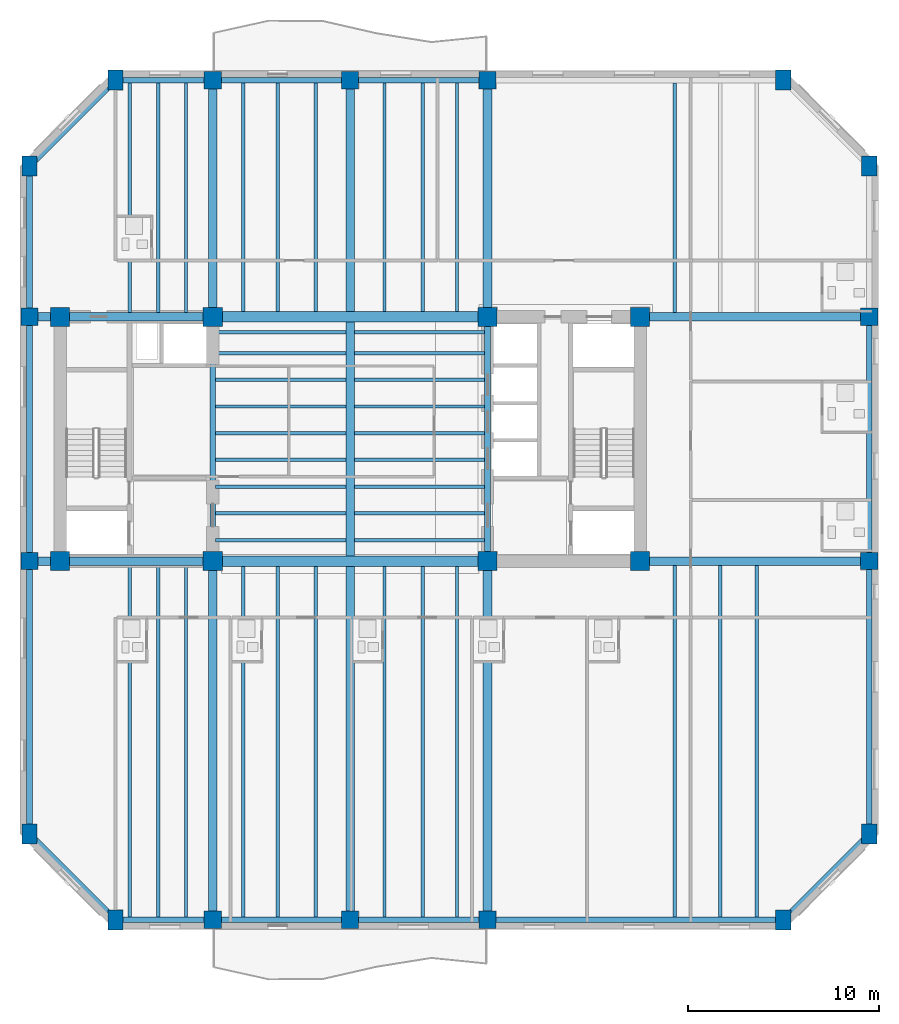
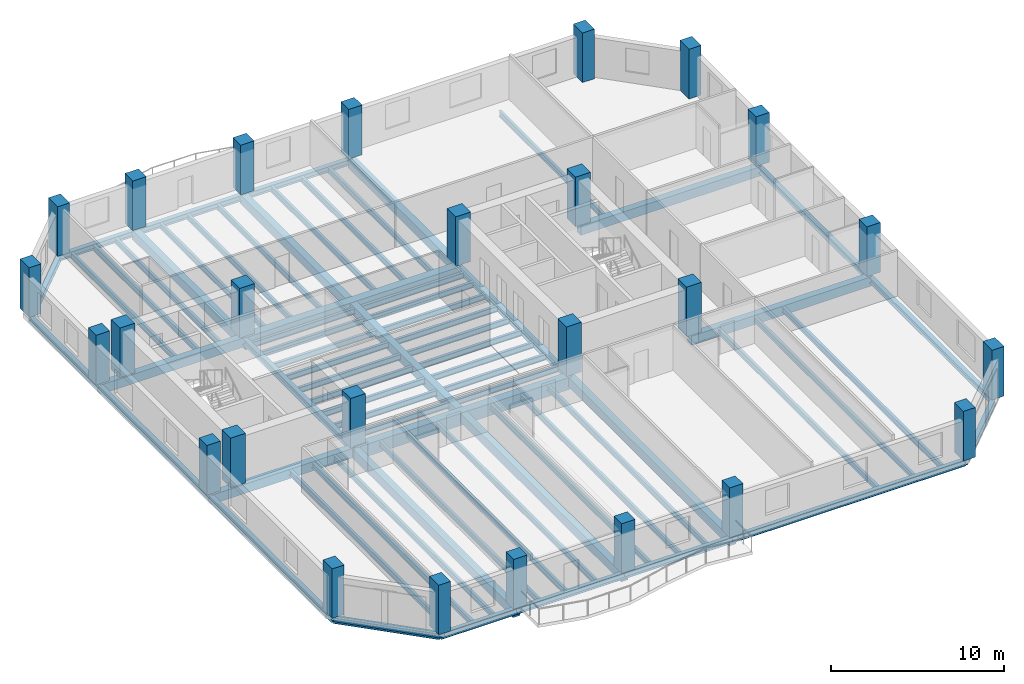
# One storey, part 1 of 10: 70 beams, 26 columns.
"""IFC4 building model written with IfcOpenShell, lengths in metres."""

import ifcopenshell
import ifcopenshell.guid

model = None  # the IFC model being written
_history = None  # IfcOwnerHistory: only IFC2X3 demands one
_inside = {}  # id of a spatial element -> (the spatial element, [elements in it])
_under = {}  # id of a project, library or spatial element -> (it, [spatial elements below it])
_declared = {}  # id of a project -> (the project, [libraries it declares])
_typed = {}  # id of a type object -> (the type object, [elements of that type])
_made_of = {}  # id of a material, layer set ... -> (it, [elements and type objects made of it])


def new_model(schema):
    """Start an empty IFC model of exactly this schema.

    Asked for "IFC4X3", IfcOpenShell would pick the latest addendum, in which some entities
    have other attributes; the version numbers below select the first issue.
    IFC2X3 requires an IfcOwnerHistory on every rooted entity: one is made here for all.
    """
    global model, _history
    if schema == "IFC4X3":
        model = ifcopenshell.file(schema_version=(4, 3, 0, 0))
    else:
        model = ifcopenshell.file(schema=schema)
    _inside.clear()
    _under.clear()
    _declared.clear()
    _typed.clear()
    _made_of.clear()
    _history = None
    if model.schema == "IFC2X3":
        org = make("IfcOrganization", Name="unknown")
        user = make(
            "IfcPersonAndOrganization",
            ThePerson=make("IfcPerson", FamilyName="unknown"),
            TheOrganization=org,
        )
        app = make(
            "IfcApplication",
            ApplicationDeveloper=org,
            Version="unknown",
            ApplicationFullName="unknown",
            ApplicationIdentifier="unknown",
        )
        _history = make(
            "IfcOwnerHistory",
            OwningUser=user,
            OwningApplication=app,
            ChangeAction="ADDED",
            CreationDate=0,
        )
    return model


def make(cls, **values):
    """One entity of the class cls with the attributes given. An attribute that is None is left unset."""
    return model.create_entity(
        cls, **{name: value for name, value in values.items() if value is not None}
    )


def rooted(cls, **values):
    """An entity with a GlobalId (a new one), such as an element, a storey or a relation."""
    return make(cls, GlobalId=ifcopenshell.guid.new(), OwnerHistory=_history, **values)


def si_unit(unit_type, name, prefix=None):
    """IfcSIUnit, for example si_unit("LENGTHUNIT", "METRE", prefix="MILLI")."""
    return make("IfcSIUnit", UnitType=unit_type, Prefix=prefix, Name=name)


def assignment(units):
    """IfcUnitAssignment: the units of a project."""
    return None if units is None else make("IfcUnitAssignment", Units=units)


def point(xyz):
    """IfcCartesianPoint."""
    return None if xyz is None else make("IfcCartesianPoint", Coordinates=xyz)


def direction(xyz):
    """IfcDirection."""
    return None if xyz is None else make("IfcDirection", DirectionRatios=xyz)


def frame(location, z_axis=None, x_axis=None):
    """IfcAxis2Placement3D, a coordinate frame: its origin and axes. An axis left out is left unset."""
    return make(
        "IfcAxis2Placement3D",
        Location=point(location),
        Axis=direction(z_axis),
        RefDirection=direction(x_axis),
    )


def frame_2d(location, x_axis=None):
    """IfcAxis2Placement2D, a coordinate frame in the plane: its origin and x axis."""
    return make(
        "IfcAxis2Placement2D", Location=point(location), RefDirection=direction(x_axis)
    )


def origin():
    """The frame at (0, 0, 0) with its axes left unset."""
    return frame((0.0, 0.0, 0.0))


def origin_2d():
    """The frame at (0, 0) in the plane with its x axis left unset."""
    return frame_2d((0.0, 0.0))


def place(relative_to, where):
    """IfcLocalPlacement: puts the frame where relative to a parent placement (None: the world)."""
    return make(
        "IfcLocalPlacement", PlacementRelTo=relative_to, RelativePlacement=where
    )


def context(
    kind, dimensions, precision=None, world=None, true_north=None, identifier=None
):
    """IfcGeometricRepresentationContext, for example the 3D "Model" context."""
    return make(
        "IfcGeometricRepresentationContext",
        ContextIdentifier=identifier,
        ContextType=kind,
        CoordinateSpaceDimension=dimensions,
        Precision=precision,
        WorldCoordinateSystem=world,
        TrueNorth=true_north,
    )


def subcontext(parent, identifier, kind, view, scale=None):
    """IfcGeometricRepresentationSubContext, for example "Body" below "Model"."""
    return make(
        "IfcGeometricRepresentationSubContext",
        ContextIdentifier=identifier,
        ContextType=kind,
        ParentContext=parent,
        TargetScale=scale,
        TargetView=view,
    )


def project(units=None, contexts=None):
    """IfcProject with its units and contexts."""
    return rooted(
        "IfcProject",
        Name="project",
        RepresentationContexts=contexts,
        UnitsInContext=assignment(units),
    )


def spatial(cls, under=None, at=None, **own):
    """A site, building, storey or space (cls), placed at a placement, below another one or the project."""
    s = rooted(cls, ObjectPlacement=at, **own)
    if under is not None:
        _under.setdefault(under.id(), (under, []))[1].append(s)
    return s


def profile(cls, at=None, kind="AREA", **sizes):
    """A parametric profile (cls). Its sizes go by their IFC names, for example OverallWidth=200.0."""
    return make(cls, ProfileType=kind, Position=at, **sizes)


def rectangle(**sizes):
    """IfcRectangleProfileDef."""
    return profile("IfcRectangleProfileDef", **sizes)


def i_section(**sizes):
    """IfcIShapeProfileDef."""
    return profile("IfcIShapeProfileDef", **sizes)


def extrude(swept, where, along, depth):
    """IfcExtrudedAreaSolid: the profile swept, set in the frame where, extruded along a direction by depth."""
    return make(
        "IfcExtrudedAreaSolid",
        SweptArea=swept,
        Position=where,
        ExtrudedDirection=direction(along),
        Depth=depth,
    )


def shape(context_of_items, identifier, shape_type, items):
    """IfcShapeRepresentation: the items that make up one representation, for example the "Body"."""
    return make(
        "IfcShapeRepresentation",
        ContextOfItems=context_of_items,
        RepresentationIdentifier=identifier,
        RepresentationType=shape_type,
        Items=items,
    )


def material(Name=None, Category=None):
    """IfcMaterial."""
    return make("IfcMaterial", Name=Name, Category=Category)


def material_profile(
    of_material, cross_section, Name=None, Category=None, Priority=None
):
    """IfcMaterialProfile: a cross section and its material."""
    return make(
        "IfcMaterialProfile",
        Name=Name,
        Material=of_material,
        Profile=cross_section,
        Priority=Priority,
        Category=Category,
    )


def profile_set(profiles, Name=None, composite=None):
    """IfcMaterialProfileSet."""
    return make(
        "IfcMaterialProfileSet",
        Name=Name,
        MaterialProfiles=profiles,
        CompositeProfile=composite,
    )


def made_of(thing, what):
    """Note that an element or type object is made of a material, layer set ...; save() writes the relation."""
    if what is not None:
        _made_of.setdefault(what.id(), (what, []))[1].append(thing)
    return thing


def type_object(cls, material=None, **own):
    """A type object (cls), such as IfcWallType, which elements share."""
    return made_of(rooted(cls, **own), material)


def element(
    cls,
    number,
    at=None,
    inside=None,
    cuts=None,
    type_object=None,
    material=None,
    context=None,
    identifier="Body",
    shape_type=None,
    held_by="IfcProductDefinitionShape",
    body=None,
    shapes=None,
    **own,
):
    """One element of the class cls, such as IfcWall. Its Tag is "e" and its number.

    at: its placement. inside: the storey or other place that contains it. cuts: it is an
    opening in that element (IfcRelVoidsElement). A single representation is given by context,
    identifier, shape_type and body (its items); several are given by shapes. held_by: the class
    of the entity that holds the representations. save() writes the other relations.
    """
    e = rooted(cls, Tag="e%d" % number, ObjectPlacement=at, **own)
    if body is not None:
        shapes = [shape(context, identifier, shape_type, body)]
    if shapes is not None:
        e.Representation = make(held_by, Representations=shapes)
    if inside is not None:
        _inside.setdefault(inside.id(), (inside, []))[1].append(e)
    if cuts is not None:
        rooted(
            "IfcRelVoidsElement", RelatingBuildingElement=cuts, RelatedOpeningElement=e
        )
    if type_object is not None:
        _typed.setdefault(type_object.id(), (type_object, []))[1].append(e)
    return made_of(e, material)


def aggregate(whole, parts):
    """IfcRelAggregates: a whole, such as a stair, and the parts it consists of."""
    return rooted("IfcRelAggregates", RelatingObject=whole, RelatedObjects=parts)


def save(model, path):
    """Write the relations noted so far, then the file.

    IfcRelAggregates (storeys below a building ...), IfcRelContainedInSpatialStructure (elements
    in a storey), IfcRelDefinesByType, IfcRelAssociatesMaterial and IfcRelDeclares: one each for
    every whole, place, type object, material and project.
    """
    for whole, parts in _under.values():
        aggregate(whole, parts)
    for where, things in _inside.values():
        rooted(
            "IfcRelContainedInSpatialStructure",
            RelatedElements=things,
            RelatingStructure=where,
        )
    for kind, things in _typed.values():
        rooted("IfcRelDefinesByType", RelatedObjects=things, RelatingType=kind)
    for what, things in _made_of.values():
        rooted("IfcRelAssociatesMaterial", RelatedObjects=things, RelatingMaterial=what)
    for by, libraries in _declared.values():
        rooted("IfcRelDeclares", RelatingContext=by, RelatedDefinitions=libraries)
    model.write(path)


model = new_model("IFC4")

# Units and contexts
model_context = context("Model", 3, precision=1e-05, world=origin(), true_north=direction((0.0, 1.0)))
body_context = subcontext(model_context, "Body", "Model", "MODEL_VIEW")
ifc_project = project(units=[si_unit("LENGTHUNIT", "METRE"), si_unit("AREAUNIT", "SQUARE_METRE"), si_unit("VOLUMEUNIT", "CUBIC_METRE"), si_unit("PLANEANGLEUNIT", "RADIAN"), si_unit("MASSUNIT", "GRAM", prefix="KILO")], contexts=[model_context])

# Site, building, storey
site_placement = place(None, origin())
site = spatial("IfcSite", under=ifc_project, at=site_placement, CompositionType="ELEMENT")
building_placement = place(site_placement, origin())
building = spatial("IfcBuilding", under=site, at=building_placement, Name="Kranthara Brick Stack", CompositionType="ELEMENT")
storey_placement = place(building_placement, frame((0.0, 0.0, 155.300048828125)))
storey = spatial("IfcBuildingStorey", under=building, at=storey_placement, Name="L39", CompositionType="ELEMENT", Elevation=155.300048828125)

# Columns
ifc_material_1 = material(Name="Concrete C60/75", Category="concrete")
ifc_material_profile_1 = material_profile(ifc_material_1, rectangle(XDim=0.800048828125, YDim=1.050048828125, at=origin_2d()), Name="RC 800x1050")
ifc_profile_set_1 = profile_set([ifc_material_profile_1], Name="Concrete C60/75")
column_type_1 = type_object("IfcColumnType", Name="COL-CHAM-800x1050", PredefinedType="COLUMN", material=ifc_profile_set_1)
for number, where, z_axis, x_axis, name in (
    (1, (15.699951171875, 2.0, 0.0), (0.0, 0.0, 1.0), (1.0, 0.0, 0.0), "L39 Column 09"),
    (2, (15.699951171875, 46.0, 0.0), (0.0, 0.0, 1.0), (1.0, 0.0, 0.0), "L39 Column 10"),
    (3, (50.699951171875, 2.0, 0.0), (0.0, 0.0, 1.0), (1.0, 0.0, 0.0), "L39 Column 17"),
    (4, (50.699951171875, 46.0, 0.0), (0.0, 0.0, 1.0), (1.0, 0.0, 0.0), "L39 Column 18"),
    (5, (11.199951171875, 6.5, 0.0), (0.0, 0.0, 1.0), (1.0, 0.0, 0.0), "L39 Column 19"),
    (6, (55.199951171875, 6.5, 0.0), (0.0, 0.0, 1.0), (1.0, 0.0, 0.0), "L39 Column 20"),
    (7, (11.199951171875, 41.5, 0.0), (0.0, 0.0, 1.0), (1.0, 0.0, 0.0), "L39 Column 25"),
    (8, (55.199951171875, 41.5, 0.0), (0.0, 0.0, 1.0), (1.0, 0.0, 0.0), "L39 Column 26"),
):
    element("IfcColumn", number, at=place(storey_placement, frame(where, z_axis=z_axis, x_axis=x_axis)), inside=storey, type_object=column_type_1, Name=name, PredefinedType="COLUMN", context=body_context, shape_type="SweptSolid", body=[
        extrude(rectangle(XDim=0.800048828125, YDim=1.050048828125, at=origin_2d()), origin(), (0.0, 0.0, 1.0), 3.5),
    ])
ifc_material_2 = material(Name="Concrete C60/75", Category="concrete")
ifc_material_profile_2 = material_profile(ifc_material_2, rectangle(XDim=1.0, YDim=1.0, at=origin_2d()), Name="RC 1000x1000")
ifc_profile_set_2 = profile_set([ifc_material_profile_2], Name="Concrete C60/75")
column_type_2 = type_object("IfcColumnType", Name="COL-CORE-1000", PredefinedType="COLUMN", material=ifc_profile_set_2)
for number, where, z_axis, x_axis, name in (
    (9, (12.800048828125, 20.800048828125, 0.0), (0.0, 0.0, 1.0), (1.0, 0.0, 0.0), "L39 Column 01"),
    (10, (20.800048828125, 20.800048828125, 0.0), (0.0, 0.0, 1.0), (1.0, 0.0, 0.0), "L39 Column 02"),
    (11, (12.800048828125, 33.60009765625, 0.0), (0.0, 0.0, 1.0), (1.0, 0.0, 0.0), "L39 Column 03"),
    (12, (20.800048828125, 33.60009765625, 0.0), (0.0, 0.0, 1.0), (1.0, 0.0, 0.0), "L39 Column 04"),
    (13, (35.199951171875, 20.800048828125, 0.0), (0.0, 0.0, 1.0), (1.0, 0.0, 0.0), "L39 Column 05"),
    (14, (43.199951171875, 20.800048828125, 0.0), (0.0, 0.0, 1.0), (1.0, 0.0, 0.0), "L39 Column 06"),
    (15, (35.199951171875, 33.60009765625, 0.0), (0.0, 0.0, 1.0), (1.0, 0.0, 0.0), "L39 Column 07"),
    (16, (43.199951171875, 33.60009765625, 0.0), (0.0, 0.0, 1.0), (1.0, 0.0, 0.0), "L39 Column 08"),
):
    element("IfcColumn", number, at=place(storey_placement, frame(where, z_axis=z_axis, x_axis=x_axis)), inside=storey, type_object=column_type_2, Name=name, PredefinedType="COLUMN", context=body_context, shape_type="SweptSolid", body=[
        extrude(rectangle(XDim=1.0, YDim=1.0, at=origin_2d()), origin(), (0.0, 0.0, 1.0), 3.5),
    ])
ifc_material_3 = material(Name="Concrete C60/75", Category="concrete")
ifc_material_profile_3 = material_profile(ifc_material_3, rectangle(XDim=0.89990234375, YDim=0.89990234375, at=origin_2d()), Name="RC 900x900")
ifc_profile_set_3 = profile_set([ifc_material_profile_3], Name="Concrete C60/75")
column_type_3 = type_object("IfcColumnType", Name="COL-PER-900", PredefinedType="COLUMN", material=ifc_profile_set_3)
for number, where, z_axis, x_axis, name in (
    (17, (20.800048828125, 2.0, 0.0), (0.0, 0.0, 1.0), (1.0, 0.0, 0.0), "L39 Column 11"),
    (18, (20.800048828125, 46.0, 0.0), (0.0, 0.0, 1.0), (1.0, 0.0, 0.0), "L39 Column 12"),
    (19, (28.0, 2.0, 0.0), (0.0, 0.0, 1.0), (1.0, 0.0, 0.0), "L39 Column 13"),
    (20, (28.0, 46.0, 0.0), (0.0, 0.0, 1.0), (1.0, 0.0, 0.0), "L39 Column 14"),
    (21, (35.199951171875, 2.0, 0.0), (0.0, 0.0, 1.0), (1.0, 0.0, 0.0), "L39 Column 15"),
    (22, (35.199951171875, 46.0, 0.0), (0.0, 0.0, 1.0), (1.0, 0.0, 0.0), "L39 Column 16"),
    (23, (11.199951171875, 20.800048828125, 0.0), (0.0, 0.0, 1.0), (1.0, 0.0, 0.0), "L39 Column 21"),
    (24, (55.199951171875, 20.800048828125, 0.0), (0.0, 0.0, 1.0), (1.0, 0.0, 0.0), "L39 Column 22"),
    (25, (11.199951171875, 33.60009765625, 0.0), (0.0, 0.0, 1.0), (1.0, 0.0, 0.0), "L39 Column 23"),
    (26, (55.199951171875, 33.60009765625, 0.0), (0.0, 0.0, 1.0), (1.0, 0.0, 0.0), "L39 Column 24"),
):
    element("IfcColumn", number, at=place(storey_placement, frame(where, z_axis=z_axis, x_axis=x_axis)), inside=storey, type_object=column_type_3, Name=name, PredefinedType="COLUMN", context=body_context, shape_type="SweptSolid", body=[
        extrude(rectangle(XDim=0.89990234375, YDim=0.89990234375, at=origin_2d()), origin(), (0.0, 0.0, 1.0), 3.5),
    ])

# Beams
ifc_material_4 = material(Name="Concrete C50/60", Category="concrete")
ifc_material_profile_4 = material_profile(ifc_material_4, rectangle(XDim=0.550048828125, YDim=0.85009765625, at=origin_2d()), Name="RC 550x850")
ifc_profile_set_4 = profile_set([ifc_material_profile_4], Name="Concrete C50/60")
beam_type_1 = type_object("IfcBeamType", Name="BM-CPL-RC850", PredefinedType="LINTEL", material=ifc_profile_set_4)
for number, where, z_axis, x_axis, name in (
    (27, (20.800048828125, 20.800048828125, -0.72509765625), (1.0, 0.0, 0.0), (0.0, 1.0, 0.0), "L39 Core Coupling Beam 001"),
    (28, (20.800048828125, 33.60009765625, -0.72509765625), (1.0, 0.0, 0.0), (0.0, 1.0, 0.0), "L39 Core Coupling Beam 002"),
):
    element("IfcBeam", number, at=place(storey_placement, frame(where, z_axis=z_axis, x_axis=x_axis)), inside=storey, type_object=beam_type_1, Name=name, PredefinedType="LINTEL", context=body_context, shape_type="SweptSolid", body=[
        extrude(rectangle(XDim=0.550048828125, YDim=0.85009765625, at=origin_2d()), origin(), (0.0, 0.0, 1.0), 14.39990234375),
    ])
ifc_material_5 = material(Name="Post-tensioned concrete C45/55", Category="concrete")
ifc_material_profile_5 = material_profile(ifc_material_5, rectangle(XDim=0.449951171875, YDim=0.64990234375, at=origin_2d()), Name="PT 450x650")
ifc_profile_set_5 = profile_set([ifc_material_profile_5], Name="Post-tensioned concrete C45/55")
beam_type_2 = type_object("IfcBeamType", Name="BM-FLR-PT650", PredefinedType="BEAM", material=ifc_profile_set_5)
beam_1_placement = place(storey_placement, frame((20.800048828125, 2.0, -0.625), z_axis=(0.0, 1.0, 0.0), x_axis=(-1.0, 0.0, 0.0)))
element("IfcBeam", 29, at=beam_1_placement, inside=storey, type_object=beam_type_2, Name="L39 Primary Grid Girder 023", PredefinedType="BEAM", context=body_context, shape_type="SweptSolid", body=[
    extrude(rectangle(XDim=0.449951171875, YDim=0.64990234375, at=origin_2d()), origin(), (0.0, 0.0, 1.0), 18.800048828125),
])
beam_2_placement = place(storey_placement, frame((20.800048828125, 33.60009765625, -0.625), z_axis=(0.0, 1.0, 0.0), x_axis=(-1.0, 0.0, 0.0)))
element("IfcBeam", 30, at=beam_2_placement, inside=storey, type_object=beam_type_2, Name="L39 Primary Grid Girder 024", PredefinedType="BEAM", context=body_context, shape_type="SweptSolid", body=[
    extrude(rectangle(XDim=0.449951171875, YDim=0.64990234375, at=origin_2d()), origin(), (0.0, 0.0, 1.0), 12.39990234375),
])
beam_3_placement = place(storey_placement, frame((28.0, 2.0, -0.625), z_axis=(0.0, 1.0, 0.0), x_axis=(-1.0, 0.0, 0.0)))
element("IfcBeam", 31, at=beam_3_placement, inside=storey, type_object=beam_type_2, Name="L39 Primary Grid Girder 025", PredefinedType="BEAM", context=body_context, shape_type="SweptSolid", body=[
    extrude(rectangle(XDim=0.449951171875, YDim=0.64990234375, at=origin_2d()), origin(), (0.0, 0.0, 1.0), 18.52490234375),
])
beam_4_placement = place(storey_placement, frame((28.0, 21.074951171875, -0.625), z_axis=(0.0, 1.0, 0.0), x_axis=(-1.0, 0.0, 0.0)))
element("IfcBeam", 32, at=beam_4_placement, inside=storey, type_object=beam_type_2, Name="L39 Central Spine Girder 026", PredefinedType="BEAM", context=body_context, shape_type="SweptSolid", body=[
    extrude(rectangle(XDim=0.449951171875, YDim=0.64990234375, at=origin_2d()), origin(), (0.0, 0.0, 1.0), 12.25),
])
beam_5_placement = place(storey_placement, frame((28.0, 33.875, -0.625), z_axis=(0.0, 1.0, 0.0), x_axis=(-1.0, 0.0, 0.0)))
element("IfcBeam", 33, at=beam_5_placement, inside=storey, type_object=beam_type_2, Name="L39 Primary Grid Girder 027", PredefinedType="BEAM", context=body_context, shape_type="SweptSolid", body=[
    extrude(rectangle(XDim=0.449951171875, YDim=0.64990234375, at=origin_2d()), origin(), (0.0, 0.0, 1.0), 12.125),
])
beam_6_placement = place(storey_placement, frame((35.199951171875, 2.0, -0.625), z_axis=(0.0, 1.0, 0.0), x_axis=(-1.0, 0.0, 0.0)))
element("IfcBeam", 34, at=beam_6_placement, inside=storey, type_object=beam_type_2, Name="L39 Primary Grid Girder 028", PredefinedType="BEAM", context=body_context, shape_type="SweptSolid", body=[
    extrude(rectangle(XDim=0.449951171875, YDim=0.64990234375, at=origin_2d()), origin(), (0.0, 0.0, 1.0), 18.800048828125),
])
beam_7_placement = place(storey_placement, frame((35.199951171875, 33.60009765625, -0.625), z_axis=(0.0, 1.0, 0.0), x_axis=(-1.0, 0.0, 0.0)))
element("IfcBeam", 35, at=beam_7_placement, inside=storey, type_object=beam_type_2, Name="L39 Primary Grid Girder 029", PredefinedType="BEAM", context=body_context, shape_type="SweptSolid", body=[
    extrude(rectangle(XDim=0.449951171875, YDim=0.64990234375, at=origin_2d()), origin(), (0.0, 0.0, 1.0), 12.39990234375),
])
beam_8_placement = place(storey_placement, frame((11.199951171875, 20.800048828125, -0.625), z_axis=(1.0, 0.0, 0.0), x_axis=(0.0, 1.0, 0.0)))
element("IfcBeam", 36, at=beam_8_placement, inside=storey, type_object=beam_type_2, Name="L39 Primary Grid Girder 030", PredefinedType="BEAM", context=body_context, shape_type="SweptSolid", body=[
    extrude(rectangle(XDim=0.449951171875, YDim=0.64990234375, at=origin_2d()), origin(), (0.0, 0.0, 1.0), 9.60009765625),
])
beam_9_placement = place(storey_placement, frame((43.199951171875, 20.800048828125, -0.625), z_axis=(1.0, 0.0, 0.0), x_axis=(0.0, 1.0, 0.0)))
element("IfcBeam", 37, at=beam_9_placement, inside=storey, type_object=beam_type_2, Name="L39 Primary Grid Girder 031", PredefinedType="BEAM", context=body_context, shape_type="SweptSolid", body=[
    extrude(rectangle(XDim=0.449951171875, YDim=0.64990234375, at=origin_2d()), origin(), (0.0, 0.0, 1.0), 12.0),
])
beam_10_placement = place(storey_placement, frame((11.199951171875, 33.60009765625, -0.625), z_axis=(1.0, 0.0, 0.0), x_axis=(0.0, 1.0, 0.0)))
element("IfcBeam", 38, at=beam_10_placement, inside=storey, type_object=beam_type_2, Name="L39 Primary Grid Girder 032", PredefinedType="BEAM", context=body_context, shape_type="SweptSolid", body=[
    extrude(rectangle(XDim=0.449951171875, YDim=0.64990234375, at=origin_2d()), origin(), (0.0, 0.0, 1.0), 9.60009765625),
])
beam_11_placement = place(storey_placement, frame((43.199951171875, 33.60009765625, -0.625), z_axis=(1.0, 0.0, 0.0), x_axis=(0.0, 1.0, 0.0)))
element("IfcBeam", 39, at=beam_11_placement, inside=storey, type_object=beam_type_2, Name="L39 Primary Grid Girder 033", PredefinedType="BEAM", context=body_context, shape_type="SweptSolid", body=[
    extrude(rectangle(XDim=0.449951171875, YDim=0.64990234375, at=origin_2d()), origin(), (0.0, 0.0, 1.0), 12.0),
])
ifc_material_6 = material(Name="Steel S355", Category="steel")
ifc_material_profile_6 = material_profile(ifc_material_6, i_section(OverallWidth=0.179931640625, OverallDepth=0.39990234375, WebThickness=0.008544921875, FlangeThickness=0.013427734375, at=origin_2d()), Name="IPE 400")
ifc_profile_set_6 = profile_set([ifc_material_profile_6], Name="Steel S355")
beam_type_3 = type_object("IfcBeamType", Name="BM-JST-IPE400", PredefinedType="JOIST", material=ifc_profile_set_6)
for number, where, z_axis, x_axis, name in (
    (40, (20.949951171875, 21.89990234375, -0.5), (1.0, 0.0, 0.0), (0.0, 1.0, 0.0), "L39 Central Floor Joist 034"),
    (41, (28.22509765625, 21.89990234375, -0.5), (1.0, 0.0, 0.0), (0.0, 1.0, 0.0), "L39 Central Floor Joist 035"),
    (42, (20.949951171875, 23.300048828125, -0.5), (1.0, 0.0, 0.0), (0.0, 1.0, 0.0), "L39 Central Floor Joist 036"),
    (43, (28.22509765625, 23.300048828125, -0.5), (1.0, 0.0, 0.0), (0.0, 1.0, 0.0), "L39 Central Floor Joist 037"),
    (44, (20.949951171875, 24.699951171875, -0.5), (1.0, 0.0, 0.0), (0.0, 1.0, 0.0), "L39 Central Floor Joist 038"),
    (45, (28.22509765625, 24.699951171875, -0.5), (1.0, 0.0, 0.0), (0.0, 1.0, 0.0), "L39 Central Floor Joist 039"),
    (46, (20.949951171875, 26.10009765625, -0.5), (1.0, 0.0, 0.0), (0.0, 1.0, 0.0), "L39 Central Floor Joist 040"),
    (47, (28.22509765625, 26.10009765625, -0.5), (1.0, 0.0, 0.0), (0.0, 1.0, 0.0), "L39 Central Floor Joist 041"),
    (48, (20.949951171875, 27.5, -0.5), (1.0, 0.0, 0.0), (0.0, 1.0, 0.0), "L39 Central Floor Joist 042"),
    (49, (28.22509765625, 27.5, -0.5), (1.0, 0.0, 0.0), (0.0, 1.0, 0.0), "L39 Central Floor Joist 043"),
    (50, (20.949951171875, 28.89990234375, -0.5), (1.0, 0.0, 0.0), (0.0, 1.0, 0.0), "L39 Central Floor Joist 044"),
    (51, (28.22509765625, 28.89990234375, -0.5), (1.0, 0.0, 0.0), (0.0, 1.0, 0.0), "L39 Central Floor Joist 045"),
    (52, (20.949951171875, 30.300048828125, -0.5), (1.0, 0.0, 0.0), (0.0, 1.0, 0.0), "L39 Central Floor Joist 046"),
    (53, (28.22509765625, 30.300048828125, -0.5), (1.0, 0.0, 0.0), (0.0, 1.0, 0.0), "L39 Central Floor Joist 047"),
    (54, (20.949951171875, 31.699951171875, -0.5), (1.0, 0.0, 0.0), (0.0, 1.0, 0.0), "L39 Central Floor Joist 048"),
    (55, (28.22509765625, 31.699951171875, -0.5), (1.0, 0.0, 0.0), (0.0, 1.0, 0.0), "L39 Central Floor Joist 049"),
    (56, (20.949951171875, 32.800048828125, -0.5), (1.0, 0.0, 0.0), (0.0, 1.0, 0.0), "L39 Central Floor Joist 050"),
    (57, (28.22509765625, 32.800048828125, -0.5), (1.0, 0.0, 0.0), (0.0, 1.0, 0.0), "L39 Central Floor Joist 051"),
):
    element("IfcBeam", number, at=place(storey_placement, frame(where, z_axis=z_axis, x_axis=x_axis)), inside=storey, type_object=beam_type_3, Name=name, PredefinedType="JOIST", context=body_context, shape_type="SweptSolid", body=[
        extrude(i_section(OverallWidth=0.179931640625, OverallDepth=0.39990234375, WebThickness=0.008544921875, FlangeThickness=0.013427734375, at=origin_2d()), origin(), (0.0, 0.0, 1.0), 6.824951171875),
    ])
beam_12_placement = place(storey_placement, frame((16.449951171875, 2.14990234375, -0.5), z_axis=(0.0, 1.0, 0.0), x_axis=(-1.0, 0.0, 0.0)))
element("IfcBeam", 58, at=beam_12_placement, inside=storey, type_object=beam_type_3, Name="L39 South Wing Floor Joist 052", PredefinedType="JOIST", context=body_context, shape_type="SweptSolid", body=[
    extrude(i_section(OverallWidth=0.179931640625, OverallDepth=0.39990234375, WebThickness=0.008544921875, FlangeThickness=0.013427734375, at=origin_2d()), origin(), (0.0, 0.0, 1.0), 18.425048828125),
])
beam_13_placement = place(storey_placement, frame((16.449951171875, 33.824951171875, -0.5), z_axis=(0.0, 1.0, 0.0), x_axis=(-1.0, 0.0, 0.0)))
element("IfcBeam", 59, at=beam_13_placement, inside=storey, type_object=beam_type_3, Name="L39 North Wing Floor Joist 053", PredefinedType="JOIST", context=body_context, shape_type="SweptSolid", body=[
    extrude(i_section(OverallWidth=0.179931640625, OverallDepth=0.39990234375, WebThickness=0.008544921875, FlangeThickness=0.013427734375, at=origin_2d()), origin(), (0.0, 0.0, 1.0), 12.025146484375),
])
beam_14_placement = place(storey_placement, frame((17.949951171875, 2.14990234375, -0.5), z_axis=(0.0, 1.0, 0.0), x_axis=(-1.0, 0.0, 0.0)))
element("IfcBeam", 60, at=beam_14_placement, inside=storey, type_object=beam_type_3, Name="L39 South Wing Floor Joist 054", PredefinedType="JOIST", context=body_context, shape_type="SweptSolid", body=[
    extrude(i_section(OverallWidth=0.179931640625, OverallDepth=0.39990234375, WebThickness=0.008544921875, FlangeThickness=0.013427734375, at=origin_2d()), origin(), (0.0, 0.0, 1.0), 18.425048828125),
])
beam_15_placement = place(storey_placement, frame((17.949951171875, 33.824951171875, -0.5), z_axis=(0.0, 1.0, 0.0), x_axis=(-1.0, 0.0, 0.0)))
element("IfcBeam", 61, at=beam_15_placement, inside=storey, type_object=beam_type_3, Name="L39 North Wing Floor Joist 055", PredefinedType="JOIST", context=body_context, shape_type="SweptSolid", body=[
    extrude(i_section(OverallWidth=0.179931640625, OverallDepth=0.39990234375, WebThickness=0.008544921875, FlangeThickness=0.013427734375, at=origin_2d()), origin(), (0.0, 0.0, 1.0), 12.025146484375),
])
beam_16_placement = place(storey_placement, frame((19.39990234375, 2.14990234375, -0.5), z_axis=(0.0, 1.0, 0.0), x_axis=(-1.0, 0.0, 0.0)))
element("IfcBeam", 62, at=beam_16_placement, inside=storey, type_object=beam_type_3, Name="L39 South Wing Floor Joist 056", PredefinedType="JOIST", context=body_context, shape_type="SweptSolid", body=[
    extrude(i_section(OverallWidth=0.179931640625, OverallDepth=0.39990234375, WebThickness=0.008544921875, FlangeThickness=0.013427734375, at=origin_2d()), origin(), (0.0, 0.0, 1.0), 18.425048828125),
])
beam_17_placement = place(storey_placement, frame((19.39990234375, 33.824951171875, -0.5), z_axis=(0.0, 1.0, 0.0), x_axis=(-1.0, 0.0, 0.0)))
element("IfcBeam", 63, at=beam_17_placement, inside=storey, type_object=beam_type_3, Name="L39 North Wing Floor Joist 057", PredefinedType="JOIST", context=body_context, shape_type="SweptSolid", body=[
    extrude(i_section(OverallWidth=0.179931640625, OverallDepth=0.39990234375, WebThickness=0.008544921875, FlangeThickness=0.013427734375, at=origin_2d()), origin(), (0.0, 0.0, 1.0), 12.025146484375),
])
beam_18_placement = place(storey_placement, frame((22.39990234375, 2.14990234375, -0.5), z_axis=(0.0, 1.0, 0.0), x_axis=(-1.0, 0.0, 0.0)))
element("IfcBeam", 64, at=beam_18_placement, inside=storey, type_object=beam_type_3, Name="L39 South Wing Floor Joist 058", PredefinedType="JOIST", context=body_context, shape_type="SweptSolid", body=[
    extrude(i_section(OverallWidth=0.179931640625, OverallDepth=0.39990234375, WebThickness=0.008544921875, FlangeThickness=0.013427734375, at=origin_2d()), origin(), (0.0, 0.0, 1.0), 18.375),
])
beam_19_placement = place(storey_placement, frame((22.39990234375, 33.875, -0.5), z_axis=(0.0, 1.0, 0.0), x_axis=(-1.0, 0.0, 0.0)))
element("IfcBeam", 65, at=beam_19_placement, inside=storey, type_object=beam_type_3, Name="L39 North Wing Floor Joist 059", PredefinedType="JOIST", context=body_context, shape_type="SweptSolid", body=[
    extrude(i_section(OverallWidth=0.179931640625, OverallDepth=0.39990234375, WebThickness=0.008544921875, FlangeThickness=0.013427734375, at=origin_2d()), origin(), (0.0, 0.0, 1.0), 11.97509765625),
])
beam_20_placement = place(storey_placement, frame((24.199951171875, 2.14990234375, -0.5), z_axis=(0.0, 1.0, 0.0), x_axis=(-1.0, 0.0, 0.0)))
element("IfcBeam", 66, at=beam_20_placement, inside=storey, type_object=beam_type_3, Name="L39 South Wing Floor Joist 060", PredefinedType="JOIST", context=body_context, shape_type="SweptSolid", body=[
    extrude(i_section(OverallWidth=0.179931640625, OverallDepth=0.39990234375, WebThickness=0.008544921875, FlangeThickness=0.013427734375, at=origin_2d()), origin(), (0.0, 0.0, 1.0), 18.375),
])
beam_21_placement = place(storey_placement, frame((24.199951171875, 33.875, -0.5), z_axis=(0.0, 1.0, 0.0), x_axis=(-1.0, 0.0, 0.0)))
element("IfcBeam", 67, at=beam_21_placement, inside=storey, type_object=beam_type_3, Name="L39 North Wing Floor Joist 061", PredefinedType="JOIST", context=body_context, shape_type="SweptSolid", body=[
    extrude(i_section(OverallWidth=0.179931640625, OverallDepth=0.39990234375, WebThickness=0.008544921875, FlangeThickness=0.013427734375, at=origin_2d()), origin(), (0.0, 0.0, 1.0), 11.97509765625),
])
beam_22_placement = place(storey_placement, frame((26.199951171875, 2.14990234375, -0.5), z_axis=(0.0, 1.0, 0.0), x_axis=(-1.0, 0.0, 0.0)))
element("IfcBeam", 68, at=beam_22_placement, inside=storey, type_object=beam_type_3, Name="L39 South Wing Floor Joist 062", PredefinedType="JOIST", context=body_context, shape_type="SweptSolid", body=[
    extrude(i_section(OverallWidth=0.179931640625, OverallDepth=0.39990234375, WebThickness=0.008544921875, FlangeThickness=0.013427734375, at=origin_2d()), origin(), (0.0, 0.0, 1.0), 18.375),
])
beam_23_placement = place(storey_placement, frame((26.199951171875, 33.875, -0.5), z_axis=(0.0, 1.0, 0.0), x_axis=(-1.0, 0.0, 0.0)))
element("IfcBeam", 69, at=beam_23_placement, inside=storey, type_object=beam_type_3, Name="L39 North Wing Floor Joist 063", PredefinedType="JOIST", context=body_context, shape_type="SweptSolid", body=[
    extrude(i_section(OverallWidth=0.179931640625, OverallDepth=0.39990234375, WebThickness=0.008544921875, FlangeThickness=0.013427734375, at=origin_2d()), origin(), (0.0, 0.0, 1.0), 11.97509765625),
])
beam_24_placement = place(storey_placement, frame((29.800048828125, 2.14990234375, -0.5), z_axis=(0.0, 1.0, 0.0), x_axis=(-1.0, 0.0, 0.0)))
element("IfcBeam", 70, at=beam_24_placement, inside=storey, type_object=beam_type_3, Name="L39 South Wing Floor Joist 064", PredefinedType="JOIST", context=body_context, shape_type="SweptSolid", body=[
    extrude(i_section(OverallWidth=0.179931640625, OverallDepth=0.39990234375, WebThickness=0.008544921875, FlangeThickness=0.013427734375, at=origin_2d()), origin(), (0.0, 0.0, 1.0), 18.375),
])
beam_25_placement = place(storey_placement, frame((29.800048828125, 33.875, -0.5), z_axis=(0.0, 1.0, 0.0), x_axis=(-1.0, 0.0, 0.0)))
element("IfcBeam", 71, at=beam_25_placement, inside=storey, type_object=beam_type_3, Name="L39 North Wing Floor Joist 065", PredefinedType="JOIST", context=body_context, shape_type="SweptSolid", body=[
    extrude(i_section(OverallWidth=0.179931640625, OverallDepth=0.39990234375, WebThickness=0.008544921875, FlangeThickness=0.013427734375, at=origin_2d()), origin(), (0.0, 0.0, 1.0), 11.97509765625),
])
beam_26_placement = place(storey_placement, frame((31.800048828125, 2.14990234375, -0.5), z_axis=(0.0, 1.0, 0.0), x_axis=(-1.0, 0.0, 0.0)))
element("IfcBeam", 72, at=beam_26_placement, inside=storey, type_object=beam_type_3, Name="L39 South Wing Floor Joist 066", PredefinedType="JOIST", context=body_context, shape_type="SweptSolid", body=[
    extrude(i_section(OverallWidth=0.179931640625, OverallDepth=0.39990234375, WebThickness=0.008544921875, FlangeThickness=0.013427734375, at=origin_2d()), origin(), (0.0, 0.0, 1.0), 18.375),
])
beam_27_placement = place(storey_placement, frame((31.800048828125, 33.875, -0.5), z_axis=(0.0, 1.0, 0.0), x_axis=(-1.0, 0.0, 0.0)))
element("IfcBeam", 73, at=beam_27_placement, inside=storey, type_object=beam_type_3, Name="L39 North Wing Floor Joist 067", PredefinedType="JOIST", context=body_context, shape_type="SweptSolid", body=[
    extrude(i_section(OverallWidth=0.179931640625, OverallDepth=0.39990234375, WebThickness=0.008544921875, FlangeThickness=0.013427734375, at=origin_2d()), origin(), (0.0, 0.0, 1.0), 11.97509765625),
])
beam_28_placement = place(storey_placement, frame((33.60009765625, 2.14990234375, -0.5), z_axis=(0.0, 1.0, 0.0), x_axis=(-1.0, 0.0, 0.0)))
element("IfcBeam", 74, at=beam_28_placement, inside=storey, type_object=beam_type_3, Name="L39 South Wing Floor Joist 068", PredefinedType="JOIST", context=body_context, shape_type="SweptSolid", body=[
    extrude(i_section(OverallWidth=0.179931640625, OverallDepth=0.39990234375, WebThickness=0.008544921875, FlangeThickness=0.013427734375, at=origin_2d()), origin(), (0.0, 0.0, 1.0), 18.375),
])
beam_29_placement = place(storey_placement, frame((33.60009765625, 33.875, -0.5), z_axis=(0.0, 1.0, 0.0), x_axis=(-1.0, 0.0, 0.0)))
element("IfcBeam", 75, at=beam_29_placement, inside=storey, type_object=beam_type_3, Name="L39 North Wing Floor Joist 069", PredefinedType="JOIST", context=body_context, shape_type="SweptSolid", body=[
    extrude(i_section(OverallWidth=0.179931640625, OverallDepth=0.39990234375, WebThickness=0.008544921875, FlangeThickness=0.013427734375, at=origin_2d()), origin(), (0.0, 0.0, 1.0), 11.97509765625),
])
beam_30_placement = place(storey_placement, frame((45.0, 2.14990234375, -0.5), z_axis=(0.0, 1.0, 0.0), x_axis=(-1.0, 0.0, 0.0)))
element("IfcBeam", 76, at=beam_30_placement, inside=storey, type_object=beam_type_3, Name="L39 South Wing Floor Joist 070", PredefinedType="JOIST", context=body_context, shape_type="SweptSolid", body=[
    extrude(i_section(OverallWidth=0.179931640625, OverallDepth=0.39990234375, WebThickness=0.008544921875, FlangeThickness=0.013427734375, at=origin_2d()), origin(), (0.0, 0.0, 1.0), 18.425048828125),
])
beam_31_placement = place(storey_placement, frame((45.0, 33.824951171875, -0.5), z_axis=(0.0, 1.0, 0.0), x_axis=(-1.0, 0.0, 0.0)))
element("IfcBeam", 77, at=beam_31_placement, inside=storey, type_object=beam_type_3, Name="L39 North Wing Floor Joist 071", PredefinedType="JOIST", context=body_context, shape_type="SweptSolid", body=[
    extrude(i_section(OverallWidth=0.179931640625, OverallDepth=0.39990234375, WebThickness=0.008544921875, FlangeThickness=0.013427734375, at=origin_2d()), origin(), (0.0, 0.0, 1.0), 12.025146484375),
])
for number, where, z_axis, x_axis, name in (
    (78, (47.39990234375, 2.14990234375, -0.5), (0.0, 1.0, 0.0), (-1.0, 0.0, 0.0), "L39 South Wing Floor Joist 072"),
    (79, (49.300048828125, 2.14990234375, -0.5), (0.0, 1.0, 0.0), (-1.0, 0.0, 0.0), "L39 South Wing Floor Joist 074"),
):
    element("IfcBeam", number, at=place(storey_placement, frame(where, z_axis=z_axis, x_axis=x_axis)), inside=storey, type_object=beam_type_3, Name=name, PredefinedType="JOIST", context=body_context, shape_type="SweptSolid", body=[
        extrude(i_section(OverallWidth=0.179931640625, OverallDepth=0.39990234375, WebThickness=0.008544921875, FlangeThickness=0.013427734375, at=origin_2d()), origin(), (0.0, 0.0, 1.0), 18.425048828125),
    ])
ifc_material_7 = material(Name="Steel S355", Category="steel")
ifc_material_profile_7 = material_profile(ifc_material_7, i_section(OverallWidth=0.300048828125, OverallDepth=0.39990234375, WebThickness=0.013427734375, FlangeThickness=0.02392578125, at=origin_2d()), Name="HEB 400")
ifc_profile_set_7 = profile_set([ifc_material_profile_7], Name="Steel S355")
beam_type_4 = type_object("IfcBeamType", Name="BM-STL-HEB400", PredefinedType="SPANDREL", material=ifc_profile_set_7)
beam_32_placement = place(storey_placement, frame((15.699951171875, 2.0, -0.5), z_axis=(1.0, 0.0, 0.0), x_axis=(0.0, 1.0, 0.0)))
element("IfcBeam", 80, at=beam_32_placement, inside=storey, type_object=beam_type_4, Name="L39 Perimeter Spandrel Beam 005", PredefinedType="SPANDREL", context=body_context, shape_type="SweptSolid", body=[
    extrude(i_section(OverallWidth=0.300048828125, OverallDepth=0.39990234375, WebThickness=0.013427734375, FlangeThickness=0.02392578125, at=origin_2d()), origin(), (0.0, 0.0, 1.0), 5.10009765625),
])
for number, where, z_axis, x_axis, name in (
    (81, (20.800048828125, 2.0, -0.5), (1.0, 0.0, 0.0), (0.0, 1.0, 0.0), "L39 Perimeter Spandrel Beam 006"),
    (82, (28.0, 2.0, -0.5), (1.0, 0.0, 0.0), (0.0, 1.0, 0.0), "L39 Perimeter Spandrel Beam 007"),
):
    element("IfcBeam", number, at=place(storey_placement, frame(where, z_axis=z_axis, x_axis=x_axis)), inside=storey, type_object=beam_type_4, Name=name, PredefinedType="SPANDREL", context=body_context, shape_type="SweptSolid", body=[
        extrude(i_section(OverallWidth=0.300048828125, OverallDepth=0.39990234375, WebThickness=0.013427734375, FlangeThickness=0.02392578125, at=origin_2d()), origin(), (0.0, 0.0, 1.0), 7.199951171875),
    ])
beam_33_placement = place(storey_placement, frame((35.199951171875, 2.0, -0.5), z_axis=(1.0, 0.0, 0.0), x_axis=(0.0, 1.0, 0.0)))
element("IfcBeam", 83, at=beam_33_placement, inside=storey, type_object=beam_type_4, Name="L39 Perimeter Spandrel Beam 008", PredefinedType="SPANDREL", context=body_context, shape_type="SweptSolid", body=[
    extrude(i_section(OverallWidth=0.300048828125, OverallDepth=0.39990234375, WebThickness=0.013427734375, FlangeThickness=0.02392578125, at=origin_2d()), origin(), (0.0, 0.0, 1.0), 15.5),
])
beam_34_placement = place(storey_placement, frame((15.699951171875, 46.0, -0.5), z_axis=(1.0, 0.0, 0.0), x_axis=(0.0, 1.0, 0.0)))
element("IfcBeam", 84, at=beam_34_placement, inside=storey, type_object=beam_type_4, Name="L39 Perimeter Spandrel Beam 009", PredefinedType="SPANDREL", context=body_context, shape_type="SweptSolid", body=[
    extrude(i_section(OverallWidth=0.300048828125, OverallDepth=0.39990234375, WebThickness=0.013427734375, FlangeThickness=0.02392578125, at=origin_2d()), origin(), (0.0, 0.0, 1.0), 5.10009765625),
])
for number, where, z_axis, x_axis, name in (
    (85, (20.800048828125, 46.0, -0.5), (1.0, 0.0, 0.0), (0.0, 1.0, 0.0), "L39 Perimeter Spandrel Beam 010"),
    (86, (28.0, 46.0, -0.5), (1.0, 0.0, 0.0), (0.0, 1.0, 0.0), "L39 Perimeter Spandrel Beam 011"),
):
    element("IfcBeam", number, at=place(storey_placement, frame(where, z_axis=z_axis, x_axis=x_axis)), inside=storey, type_object=beam_type_4, Name=name, PredefinedType="SPANDREL", context=body_context, shape_type="SweptSolid", body=[
        extrude(i_section(OverallWidth=0.300048828125, OverallDepth=0.39990234375, WebThickness=0.013427734375, FlangeThickness=0.02392578125, at=origin_2d()), origin(), (0.0, 0.0, 1.0), 7.199951171875),
    ])
beam_35_placement = place(storey_placement, frame((11.199951171875, 6.5, -0.5), z_axis=(0.0, 1.0, 0.0), x_axis=(-1.0, 0.0, 0.0)))
element("IfcBeam", 87, at=beam_35_placement, inside=storey, type_object=beam_type_4, Name="L39 Perimeter Spandrel Beam 013", PredefinedType="SPANDREL", context=body_context, shape_type="SweptSolid", body=[
    extrude(i_section(OverallWidth=0.300048828125, OverallDepth=0.39990234375, WebThickness=0.013427734375, FlangeThickness=0.02392578125, at=origin_2d()), origin(), (0.0, 0.0, 1.0), 14.300048828125),
])
beam_36_placement = place(storey_placement, frame((11.199951171875, 20.800048828125, -0.5), z_axis=(0.0, 1.0, 0.0), x_axis=(-1.0, 0.0, 0.0)))
element("IfcBeam", 88, at=beam_36_placement, inside=storey, type_object=beam_type_4, Name="L39 Perimeter Spandrel Beam 014", PredefinedType="SPANDREL", context=body_context, shape_type="SweptSolid", body=[
    extrude(i_section(OverallWidth=0.300048828125, OverallDepth=0.39990234375, WebThickness=0.013427734375, FlangeThickness=0.02392578125, at=origin_2d()), origin(), (0.0, 0.0, 1.0), 12.800048828125),
])
beam_37_placement = place(storey_placement, frame((11.199951171875, 33.60009765625, -0.5), z_axis=(0.0, 1.0, 0.0), x_axis=(-1.0, 0.0, 0.0)))
element("IfcBeam", 89, at=beam_37_placement, inside=storey, type_object=beam_type_4, Name="L39 Perimeter Spandrel Beam 015", PredefinedType="SPANDREL", context=body_context, shape_type="SweptSolid", body=[
    extrude(i_section(OverallWidth=0.300048828125, OverallDepth=0.39990234375, WebThickness=0.013427734375, FlangeThickness=0.02392578125, at=origin_2d()), origin(), (0.0, 0.0, 1.0), 7.89990234375),
])
beam_38_placement = place(storey_placement, frame((55.199951171875, 6.5, -0.5), z_axis=(0.0, 1.0, 0.0), x_axis=(-1.0, 0.0, 0.0)))
element("IfcBeam", 90, at=beam_38_placement, inside=storey, type_object=beam_type_4, Name="L39 Perimeter Spandrel Beam 016", PredefinedType="SPANDREL", context=body_context, shape_type="SweptSolid", body=[
    extrude(i_section(OverallWidth=0.300048828125, OverallDepth=0.39990234375, WebThickness=0.013427734375, FlangeThickness=0.02392578125, at=origin_2d()), origin(), (0.0, 0.0, 1.0), 14.300048828125),
])
beam_39_placement = place(storey_placement, frame((55.199951171875, 20.800048828125, -0.5), z_axis=(0.0, 1.0, 0.0), x_axis=(-1.0, 0.0, 0.0)))
element("IfcBeam", 91, at=beam_39_placement, inside=storey, type_object=beam_type_4, Name="L39 Perimeter Spandrel Beam 017", PredefinedType="SPANDREL", context=body_context, shape_type="SweptSolid", body=[
    extrude(i_section(OverallWidth=0.300048828125, OverallDepth=0.39990234375, WebThickness=0.013427734375, FlangeThickness=0.02392578125, at=origin_2d()), origin(), (0.0, 0.0, 1.0), 12.800048828125),
])
for number, where, z_axis, x_axis, name in (
    (92, (15.699951171875, 2.0, -0.5), (-0.707106781187, 0.707106781187, 0.0), (-0.707106781187, -0.707106781187, 0.0), "L39 Chamfer Corner Spandrel 019"),
    (93, (50.699951171875, 2.0, -0.5), (0.707106781187, 0.707106781187, 0.0), (-0.707106781187, 0.707106781187, 0.0), "L39 Chamfer Corner Spandrel 020"),
    (94, (15.699951171875, 46.0, -0.5), (-0.707106781187, -0.707106781187, 0.0), (0.707106781187, -0.707106781187, 0.0), "L39 Chamfer Corner Spandrel 021"),
):
    element("IfcBeam", number, at=place(storey_placement, frame(where, z_axis=z_axis, x_axis=x_axis)), inside=storey, type_object=beam_type_4, Name=name, PredefinedType="SPANDREL", context=body_context, shape_type="SweptSolid", body=[
        extrude(i_section(OverallWidth=0.300048828125, OverallDepth=0.39990234375, WebThickness=0.013427734375, FlangeThickness=0.02392578125, at=origin_2d()), origin(), (0.0, 0.0, 1.0), 6.364013671875),
    ])
ifc_material_8 = material(Name="Steel S355", Category="steel")
ifc_material_profile_8 = material_profile(ifc_material_8, i_section(OverallWidth=0.300048828125, OverallDepth=0.449951171875, WebThickness=0.013916015625, FlangeThickness=0.02587890625, at=origin_2d()), Name="HEB 450")
ifc_profile_set_8 = profile_set([ifc_material_profile_8], Name="Steel S355")
beam_type_5 = type_object("IfcBeamType", Name="BM-STL-HEB450", PredefinedType="SPANDREL", material=ifc_profile_set_8)
for number, where, z_axis, x_axis, name in (
    (95, (20.800048828125, 20.800048828125, -0.525146484375), (0.0, 1.0, 0.0), (-1.0, 0.0, 0.0), "L39 Core Edge Tie Beam 003"),
    (96, (35.199951171875, 20.800048828125, -0.525146484375), (0.0, 1.0, 0.0), (-1.0, 0.0, 0.0), "L39 Core Edge Tie Beam 004"),
):
    element("IfcBeam", number, at=place(storey_placement, frame(where, z_axis=z_axis, x_axis=x_axis)), inside=storey, type_object=beam_type_5, Name=name, PredefinedType="SPANDREL", context=body_context, shape_type="SweptSolid", body=[
        extrude(i_section(OverallWidth=0.300048828125, OverallDepth=0.449951171875, WebThickness=0.013916015625, FlangeThickness=0.02587890625, at=origin_2d()), origin(), (0.0, 0.0, 1.0), 12.800048828125),
    ])

save(model, "model.ifc")
